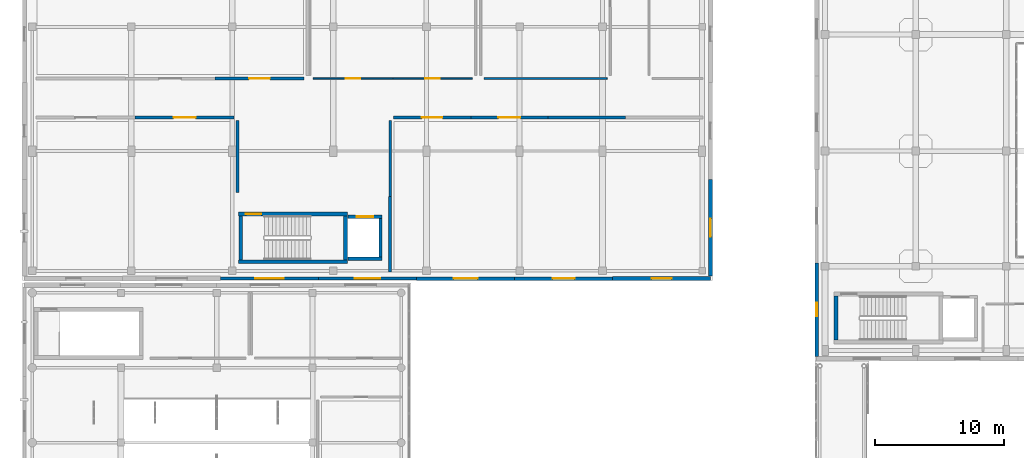
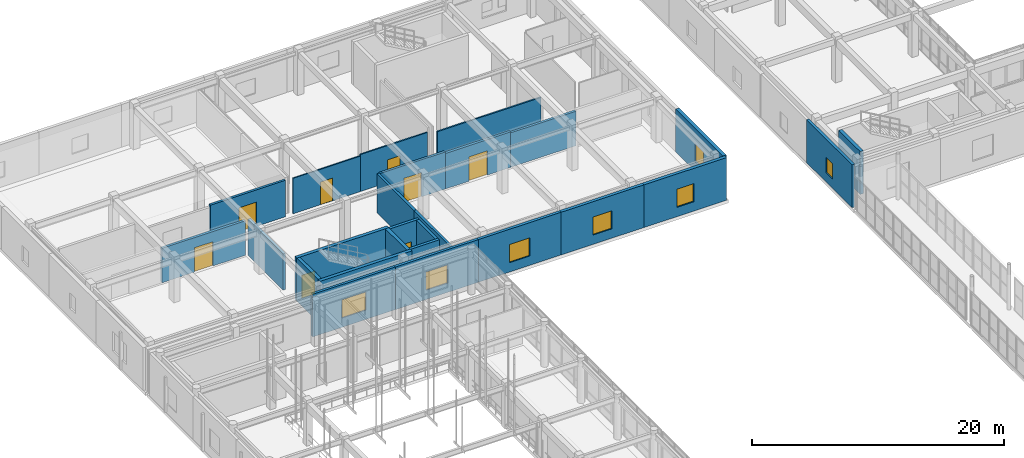
# One storey, part 123 of 142: 26 walls, 8 doors, 7 windows, 15 openings.
"""IFC4 building model written with IfcOpenShell, lengths in metres."""

import ifcopenshell
import ifcopenshell.guid

model = None  # the IFC model being written
_history = None  # IfcOwnerHistory: only IFC2X3 demands one
_inside = {}  # id of a spatial element -> (the spatial element, [elements in it])
_under = {}  # id of a project, library or spatial element -> (it, [spatial elements below it])
_declared = {}  # id of a project -> (the project, [libraries it declares])
_typed = {}  # id of a type object -> (the type object, [elements of that type])
_made_of = {}  # id of a material, layer set ... -> (it, [elements and type objects made of it])


def new_model(schema):
    """Start an empty IFC model of exactly this schema.

    Asked for "IFC4X3", IfcOpenShell would pick the latest addendum, in which some entities
    have other attributes; the version numbers below select the first issue.
    IFC2X3 requires an IfcOwnerHistory on every rooted entity: one is made here for all.
    """
    global model, _history
    if schema == "IFC4X3":
        model = ifcopenshell.file(schema_version=(4, 3, 0, 0))
    else:
        model = ifcopenshell.file(schema=schema)
    _inside.clear()
    _under.clear()
    _declared.clear()
    _typed.clear()
    _made_of.clear()
    _history = None
    if model.schema == "IFC2X3":
        org = make("IfcOrganization", Name="unknown")
        user = make(
            "IfcPersonAndOrganization",
            ThePerson=make("IfcPerson", FamilyName="unknown"),
            TheOrganization=org,
        )
        app = make(
            "IfcApplication",
            ApplicationDeveloper=org,
            Version="unknown",
            ApplicationFullName="unknown",
            ApplicationIdentifier="unknown",
        )
        _history = make(
            "IfcOwnerHistory",
            OwningUser=user,
            OwningApplication=app,
            ChangeAction="ADDED",
            CreationDate=0,
        )
    return model


def make(cls, **values):
    """One entity of the class cls with the attributes given. An attribute that is None is left unset."""
    return model.create_entity(
        cls, **{name: value for name, value in values.items() if value is not None}
    )


def rooted(cls, **values):
    """An entity with a GlobalId (a new one), such as an element, a storey or a relation."""
    return make(cls, GlobalId=ifcopenshell.guid.new(), OwnerHistory=_history, **values)


def si_unit(unit_type, name, prefix=None):
    """IfcSIUnit, for example si_unit("LENGTHUNIT", "METRE", prefix="MILLI")."""
    return make("IfcSIUnit", UnitType=unit_type, Prefix=prefix, Name=name)


def assignment(units):
    """IfcUnitAssignment: the units of a project."""
    return None if units is None else make("IfcUnitAssignment", Units=units)


def point(xyz):
    """IfcCartesianPoint."""
    return None if xyz is None else make("IfcCartesianPoint", Coordinates=xyz)


def direction(xyz):
    """IfcDirection."""
    return None if xyz is None else make("IfcDirection", DirectionRatios=xyz)


def frame(location, z_axis=None, x_axis=None):
    """IfcAxis2Placement3D, a coordinate frame: its origin and axes. An axis left out is left unset."""
    return make(
        "IfcAxis2Placement3D",
        Location=point(location),
        Axis=direction(z_axis),
        RefDirection=direction(x_axis),
    )


def frame_2d(location, x_axis=None):
    """IfcAxis2Placement2D, a coordinate frame in the plane: its origin and x axis."""
    return make(
        "IfcAxis2Placement2D", Location=point(location), RefDirection=direction(x_axis)
    )


def origin():
    """The frame at (0, 0, 0) with its axes left unset."""
    return frame((0.0, 0.0, 0.0))


def place(relative_to, where):
    """IfcLocalPlacement: puts the frame where relative to a parent placement (None: the world)."""
    return make(
        "IfcLocalPlacement", PlacementRelTo=relative_to, RelativePlacement=where
    )


def context(
    kind, dimensions, precision=None, world=None, true_north=None, identifier=None
):
    """IfcGeometricRepresentationContext, for example the 3D "Model" context."""
    return make(
        "IfcGeometricRepresentationContext",
        ContextIdentifier=identifier,
        ContextType=kind,
        CoordinateSpaceDimension=dimensions,
        Precision=precision,
        WorldCoordinateSystem=world,
        TrueNorth=true_north,
    )


def subcontext(parent, identifier, kind, view, scale=None):
    """IfcGeometricRepresentationSubContext, for example "Body" below "Model"."""
    return make(
        "IfcGeometricRepresentationSubContext",
        ContextIdentifier=identifier,
        ContextType=kind,
        ParentContext=parent,
        TargetScale=scale,
        TargetView=view,
    )


def project(units=None, contexts=None):
    """IfcProject with its units and contexts."""
    return rooted(
        "IfcProject",
        Name="project",
        RepresentationContexts=contexts,
        UnitsInContext=assignment(units),
    )


def spatial(cls, under=None, at=None, **own):
    """A site, building, storey or space (cls), placed at a placement, below another one or the project."""
    s = rooted(cls, ObjectPlacement=at, **own)
    if under is not None:
        _under.setdefault(under.id(), (under, []))[1].append(s)
    return s


def profile(cls, at=None, kind="AREA", **sizes):
    """A parametric profile (cls). Its sizes go by their IFC names, for example OverallWidth=200.0."""
    return make(cls, ProfileType=kind, Position=at, **sizes)


def rectangle(**sizes):
    """IfcRectangleProfileDef."""
    return profile("IfcRectangleProfileDef", **sizes)


def extrude(swept, where, along, depth):
    """IfcExtrudedAreaSolid: the profile swept, set in the frame where, extruded along a direction by depth."""
    return make(
        "IfcExtrudedAreaSolid",
        SweptArea=swept,
        Position=where,
        ExtrudedDirection=direction(along),
        Depth=depth,
    )


def shape(context_of_items, identifier, shape_type, items):
    """IfcShapeRepresentation: the items that make up one representation, for example the "Body"."""
    return make(
        "IfcShapeRepresentation",
        ContextOfItems=context_of_items,
        RepresentationIdentifier=identifier,
        RepresentationType=shape_type,
        Items=items,
    )


def material(Name=None, Category=None):
    """IfcMaterial."""
    return make("IfcMaterial", Name=Name, Category=Category)


def layer(
    of_material, thickness, ventilated=None, Name=None, Category=None, Priority=None
):
    """IfcMaterialLayer: one layer of a wall or slab, of a material (None: an air gap)."""
    return make(
        "IfcMaterialLayer",
        Material=of_material,
        LayerThickness=thickness,
        IsVentilated=ventilated,
        Name=Name,
        Category=Category,
        Priority=Priority,
    )


def layer_set(layers, Name=None):
    """IfcMaterialLayerSet."""
    return make("IfcMaterialLayerSet", MaterialLayers=layers, LayerSetName=Name)


def made_of(thing, what):
    """Note that an element or type object is made of a material, layer set ...; save() writes the relation."""
    if what is not None:
        _made_of.setdefault(what.id(), (what, []))[1].append(thing)
    return thing


def type_object(cls, material=None, **own):
    """A type object (cls), such as IfcWallType, which elements share."""
    return made_of(rooted(cls, **own), material)


def element(
    cls,
    number,
    at=None,
    inside=None,
    cuts=None,
    type_object=None,
    material=None,
    context=None,
    identifier="Body",
    shape_type=None,
    held_by="IfcProductDefinitionShape",
    body=None,
    shapes=None,
    **own,
):
    """One element of the class cls, such as IfcWall. Its Tag is "e" and its number.

    at: its placement. inside: the storey or other place that contains it. cuts: it is an
    opening in that element (IfcRelVoidsElement). A single representation is given by context,
    identifier, shape_type and body (its items); several are given by shapes. held_by: the class
    of the entity that holds the representations. save() writes the other relations.
    """
    e = rooted(cls, Tag="e%d" % number, ObjectPlacement=at, **own)
    if body is not None:
        shapes = [shape(context, identifier, shape_type, body)]
    if shapes is not None:
        e.Representation = make(held_by, Representations=shapes)
    if inside is not None:
        _inside.setdefault(inside.id(), (inside, []))[1].append(e)
    if cuts is not None:
        rooted(
            "IfcRelVoidsElement", RelatingBuildingElement=cuts, RelatedOpeningElement=e
        )
    if type_object is not None:
        _typed.setdefault(type_object.id(), (type_object, []))[1].append(e)
    return made_of(e, material)


def fill(opening, filler):
    """IfcRelFillsElement: the door or window that sits in an opening."""
    return rooted(
        "IfcRelFillsElement",
        RelatingOpeningElement=opening,
        RelatedBuildingElement=filler,
    )


def aggregate(whole, parts):
    """IfcRelAggregates: a whole, such as a stair, and the parts it consists of."""
    return rooted("IfcRelAggregates", RelatingObject=whole, RelatedObjects=parts)


def save(model, path):
    """Write the relations noted so far, then the file.

    IfcRelAggregates (storeys below a building ...), IfcRelContainedInSpatialStructure (elements
    in a storey), IfcRelDefinesByType, IfcRelAssociatesMaterial and IfcRelDeclares: one each for
    every whole, place, type object, material and project.
    """
    for whole, parts in _under.values():
        aggregate(whole, parts)
    for where, things in _inside.values():
        rooted(
            "IfcRelContainedInSpatialStructure",
            RelatedElements=things,
            RelatingStructure=where,
        )
    for kind, things in _typed.values():
        rooted("IfcRelDefinesByType", RelatedObjects=things, RelatingType=kind)
    for what, things in _made_of.values():
        rooted("IfcRelAssociatesMaterial", RelatedObjects=things, RelatingMaterial=what)
    for by, libraries in _declared.values():
        rooted("IfcRelDeclares", RelatingContext=by, RelatedDefinitions=libraries)
    model.write(path)


model = new_model("IFC4")

# Units and contexts
model_context = context("Model", 3, precision=1e-05, world=origin(), true_north=direction((0.0, 1.0)))
body_context = subcontext(model_context, "Body", "Model", "MODEL_VIEW")
ifc_project = project(units=[si_unit("LENGTHUNIT", "METRE"), si_unit("AREAUNIT", "SQUARE_METRE"), si_unit("VOLUMEUNIT", "CUBIC_METRE"), si_unit("PLANEANGLEUNIT", "RADIAN"), si_unit("MASSUNIT", "GRAM", prefix="KILO")], contexts=[model_context])

# Site, building, storey
site_placement = place(None, origin())
site = spatial("IfcSite", under=ifc_project, at=site_placement, CompositionType="ELEMENT")
building_placement = place(site_placement, origin())
building = spatial("IfcBuilding", under=site, at=building_placement, Name="Valcora Specialist Clinic", CompositionType="ELEMENT")
storey_placement = place(building_placement, frame((0.0, 0.0, 5.10009765625)))
storey = spatial("IfcBuildingStorey", under=building, at=storey_placement, Name="L01", CompositionType="ELEMENT", Elevation=5.10009765625)

# Wall
ifc_material_1 = material(Name="Concrete C40/50", Category="concrete")
ifc_layer_1 = layer(ifc_material_1, 0.300048828125)
ifc_layer_set_1 = layer_set([ifc_layer_1], Name="Concrete C40/50")
wall_type_1 = type_object("IfcWallType", Name="TY-WL-CR300", PredefinedType="SHEAR", material=ifc_layer_set_1)
wall_1_placement = place(storey_placement, frame((16.699951171875, 81.64990234375, 0.0), z_axis=(0.0, 0.0, 1.0), x_axis=(1.0, 0.0, 0.0)))
element("IfcWall", 1, at=wall_1_placement, inside=storey, type_object=wall_type_1, Name="Core shear wall WL-CR-C-V2A-L01-S", PredefinedType="SHEAR", context=body_context, shape_type="SweptSolid", body=[
    extrude(rectangle(XDim=8.420166015625, YDim=0.300048828125, at=frame_2d((4.2099609375, 0.0))), origin(), (0.0, 0.0, 1.0), 4.1298828125),
])

# Wall, opening, door
wall_2_placement = place(storey_placement, frame((16.699951171875, 85.35009765625, 0.0), z_axis=(0.0, 0.0, 1.0), x_axis=(1.0, 0.0, 0.0)))
wall_2 = element("IfcWall", 2, at=wall_2_placement, inside=storey, type_object=wall_type_1, Name="Core shear wall WL-CR-C-V2A-L01-N", PredefinedType="SHEAR", context=body_context, shape_type="SweptSolid", body=[
    extrude(rectangle(XDim=8.420166015625, YDim=0.300048828125, at=frame_2d((4.2099609375, 0.0))), origin(), (0.0, 0.0, 1.0), 4.1298828125),
])
opening_1_placement = place(wall_2_placement, frame((0.550048828125, 0.0, 0.0)))
opening_1 = element("IfcOpeningElement", 3, at=opening_1_placement, cuts=wall_2, Name="Opening DR-FD-120", PredefinedType="OPENING", context=body_context, shape_type="SweptSolid", body=[
    extrude(rectangle(XDim=1.199951171875, YDim=2.199951171875, at=frame_2d((0.60009765625, 1.10009765625))), frame((0.0, 0.159912109375, 0.0), z_axis=(0.0, -1.0, 0.0), x_axis=(1.0, 0.0, 0.0)), (0.0, 0.0, 1.0), 0.320068359375),
])
ifc_material_2 = material(Name="Galvanized Hollow Metal Door Steel ASTM A653", Category="steel")
door_type_1 = type_object("IfcDoorType", Name="TY-DR-ST120", OperationType="NOTDEFINED", PredefinedType="DOOR", material=ifc_material_2)
door_1_placement = place(opening_1_placement, origin())
door_1 = element("IfcDoor", 4, at=door_1_placement, inside=storey, type_object=door_type_1, Name="Exit stair fire door C-V2A L01", OperationType="SINGLE_SWING_RIGHT", OverallHeight=2.199951171875, OverallWidth=1.199951171875, PredefinedType="DOOR", context=body_context, shape_type="SweptSolid", body=[
    extrude(rectangle(XDim=1.199951171875, YDim=2.199951171875, at=frame_2d((0.60009765625, 1.10009765625))), frame((0.0, 0.02490234375, 0.0), z_axis=(0.0, -1.0, 0.0), x_axis=(1.0, 0.0, 0.0)), (0.0, 0.0, 1.0), 0.050048828125),
])
fill(opening_1, door_1)

# Walls
wall_3_placement = place(storey_placement, frame((16.85009765625, 81.802001953125, 0.0), z_axis=(0.0, 0.0, 1.0), x_axis=(0.0, 1.0, 0.0)))
element("IfcWall", 5, at=wall_3_placement, inside=storey, type_object=wall_type_1, Name="Core shear wall WL-CR-C-V2A-L01-W", PredefinedType="SHEAR", context=body_context, shape_type="SweptSolid", body=[
    extrude(rectangle(XDim=3.39599609375, YDim=0.300048828125, at=frame_2d((1.697998046875, 0.0))), origin(), (0.0, 0.0, 1.0), 4.1298828125),
])
wall_4_placement = place(storey_placement, frame((62.85009765625, 75.60205078125, 0.0), z_axis=(0.0, 0.0, 1.0), x_axis=(0.0, 1.0, 0.0)))
element("IfcWall", 6, at=wall_4_placement, inside=storey, type_object=wall_type_1, Name="Core shear wall WL-CR-C-V4A-L01-W", PredefinedType="SHEAR", context=body_context, shape_type="SweptSolid", body=[
    extrude(rectangle(XDim=3.39599609375, YDim=0.300048828125, at=frame_2d((1.697998046875, 0.0))), origin(), (0.0, 0.0, 1.0), 4.14501953125),
])
ifc_layer_2 = layer(ifc_material_1, 0.320068359375)
ifc_layer_set_2 = layer_set([ifc_layer_2], Name="Concrete C40/50")
wall_type_2 = type_object("IfcWallType", Name="TY-WL-CR320", PredefinedType="SHEAR", material=ifc_layer_set_2)
wall_5_placement = place(storey_placement, frame((24.9599609375, 81.802001953125, 0.0), z_axis=(0.0, 0.0, 1.0), x_axis=(0.0, 1.0, 0.0)))
element("IfcWall", 7, at=wall_5_placement, inside=storey, type_object=wall_type_2, Name="Core shear wall WL-CR-C-V2A-L01-E", PredefinedType="SHEAR", context=body_context, shape_type="SweptSolid", body=[
    extrude(rectangle(XDim=3.39599609375, YDim=0.320068359375, at=frame_2d((1.697998046875, 0.0))), origin(), (0.0, 0.0, 1.0), 4.1298828125),
])

# Wall, opening, window
ifc_material_3 = material(Name="Extruded Jalisco Clay Brick Masonry", Category="masonry")
ifc_layer_3 = layer(ifc_material_3, 0.235107421875)
ifc_layer_set_3 = layer_set([ifc_layer_3], Name="Extruded Jalisco Clay Brick Masonry")
wall_type_3 = type_object("IfcWallType", Name="TY-WL-EW235", PredefinedType="SOLIDWALL", material=ifc_layer_set_3)
wall_6_placement = place(storey_placement, frame((22.8642578125, 80.35009765625, 0.0), z_axis=(0.0, 0.0, 1.0), x_axis=(-1.0, 0.0, 0.0)))
wall_6 = element("IfcWall", 8, at=wall_6_placement, inside=storey, type_object=wall_type_3, Name="Exterior wall WL-EXT-L01-0080", PredefinedType="SOLIDWALL", context=body_context, shape_type="SweptSolid", body=[
    extrude(rectangle(XDim=7.5712890625, YDim=0.235107421875, at=frame_2d((3.78564453125, 0.0))), origin(), (0.0, 0.0, 1.0), 4.1298828125),
])
opening_2_placement = place(wall_6_placement, frame((2.68603515625, 0.0, 0.89990234375)))
opening_2 = element("IfcOpeningElement", 9, at=opening_2_placement, cuts=wall_6, Name="Opening WN-19", PredefinedType="OPENING", context=body_context, shape_type="SweptSolid", body=[
    extrude(rectangle(XDim=2.199951171875, YDim=1.75, at=frame_2d((1.10009765625, 0.875))), frame((0.0, 0.12744140625, 0.0), z_axis=(0.0, -1.0, 0.0), x_axis=(1.0, 0.0, 0.0)), (0.0, 0.0, 1.0), 0.255126953125),
])
ifc_material_4 = material(Name="Low-E Laminated Insulating Glass", Category="glass")
window_type_1 = type_object("IfcWindowType", Name="TY-WN-19", PartitioningType="SINGLE_PANEL", PredefinedType="WINDOW", material=ifc_material_4)
window_1_placement = place(opening_2_placement, origin())
window_1 = element("IfcWindow", 10, at=window_1_placement, inside=storey, type_object=window_type_1, Name="Facade window WN-L01-0061", OverallHeight=1.75, OverallWidth=2.199951171875, PartitioningType="SINGLE_PANEL", PredefinedType="WINDOW", context=body_context, shape_type="SweptSolid", body=[
    extrude(rectangle(XDim=2.199951171875, YDim=1.75, at=frame_2d((1.10009765625, 0.875))), frame((0.0, 0.030029296875, 0.0), z_axis=(0.0, -1.0, 0.0), x_axis=(1.0, 0.0, 0.0)), (0.0, 0.0, 1.0), 0.06005859375),
])
fill(opening_2, window_1)

ifc_layer_4 = layer(ifc_material_3, 0.25)
ifc_layer_set_4 = layer_set([ifc_layer_4], Name="Extruded Jalisco Clay Brick Masonry")
wall_type_4 = type_object("IfcWallType", Name="TY-WL-EW250", PredefinedType="SOLIDWALL", material=ifc_layer_set_4)
wall_7_placement = place(storey_placement, frame((30.435791015625, 80.35009765625, 0.0), z_axis=(0.0, 0.0, 1.0), x_axis=(-1.0, 0.0, 0.0)))
wall_7 = element("IfcWall", 11, at=wall_7_placement, inside=storey, type_object=wall_type_4, Name="Exterior wall WL-EXT-L01-0079", PredefinedType="SOLIDWALL", context=body_context, shape_type="SweptSolid", body=[
    extrude(rectangle(XDim=7.571533203125, YDim=0.25, at=frame_2d((3.78564453125, 0.0))), origin(), (0.0, 0.0, 1.0), 4.1298828125),
])
opening_3_placement = place(wall_7_placement, frame((2.785888671875, 0.0, 0.89990234375)))
opening_3 = element("IfcOpeningElement", 12, at=opening_3_placement, cuts=wall_7, Name="Opening WN-18", PredefinedType="OPENING", context=body_context, shape_type="SweptSolid", body=[
    extrude(rectangle(XDim=2.0, YDim=1.75, at=frame_2d((1.0, 0.875))), frame((0.0, 0.135009765625, 0.0), z_axis=(0.0, -1.0, 0.0), x_axis=(1.0, 0.0, 0.0)), (0.0, 0.0, 1.0), 0.27001953125),
])
window_type_2 = type_object("IfcWindowType", Name="TY-WN-18", PartitioningType="SINGLE_PANEL", PredefinedType="WINDOW", material=ifc_material_4)
window_2_placement = place(opening_3_placement, origin())
window_2 = element("IfcWindow", 13, at=window_2_placement, inside=storey, type_object=window_type_2, Name="Facade window WN-L01-0060", OverallHeight=1.75, OverallWidth=2.0, PartitioningType="SINGLE_PANEL", PredefinedType="WINDOW", context=body_context, shape_type="SweptSolid", body=[
    extrude(rectangle(XDim=2.0, YDim=1.75, at=frame_2d((1.0, 0.875))), frame((0.0, 0.030029296875, 0.0), z_axis=(0.0, -1.0, 0.0), x_axis=(1.0, 0.0, 0.0)), (0.0, 0.0, 1.0), 0.06005859375),
])
fill(opening_3, window_2)

wall_8_placement = place(storey_placement, frame((61.35009765625, 74.340087890625, 0.0), z_axis=(0.0, 0.0, 1.0), x_axis=(0.0, 1.0, 0.0)))
wall_8 = element("IfcWall", 14, at=wall_8_placement, inside=storey, type_object=wall_type_4, Name="Exterior wall WL-EXT-L01-0149", PredefinedType="SOLIDWALL", context=body_context, shape_type="SweptSolid", body=[
    extrude(rectangle(XDim=7.223876953125, YDim=0.25, at=frame_2d((3.61181640625, 0.0))), origin(), (0.0, 0.0, 1.0), 4.14501953125),
])
opening_4_placement = place(wall_8_placement, frame((3.0869140625, 0.0, 0.89990234375)))
opening_4 = element("IfcOpeningElement", 15, at=opening_4_placement, cuts=wall_8, Name="Opening WN-02", PredefinedType="OPENING", context=body_context, shape_type="SweptSolid", body=[
    extrude(rectangle(XDim=1.050048828125, YDim=1.5, at=frame_2d((0.52490234375, 0.75))), frame((0.0, 0.135009765625, 0.0), z_axis=(0.0, -1.0, 0.0), x_axis=(1.0, 0.0, 0.0)), (0.0, 0.0, 1.0), 0.27001953125),
])
window_type_3 = type_object("IfcWindowType", Name="TY-WN-02", PartitioningType="SINGLE_PANEL", PredefinedType="WINDOW", material=ifc_material_4)
window_3_placement = place(opening_4_placement, origin())
window_3 = element("IfcWindow", 16, at=window_3_placement, inside=storey, type_object=window_type_3, Name="Facade window WN-L01-0128", OverallHeight=1.5, OverallWidth=1.050048828125, PartitioningType="SINGLE_PANEL", PredefinedType="WINDOW", context=body_context, shape_type="SweptSolid", body=[
    extrude(rectangle(XDim=1.050048828125, YDim=1.5, at=frame_2d((0.52490234375, 0.75))), frame((0.0, 0.030029296875, 0.0), z_axis=(0.0, -1.0, 0.0), x_axis=(1.0, 0.0, 0.0)), (0.0, 0.0, 1.0), 0.06005859375),
])
fill(opening_4, window_3)

ifc_layer_5 = layer(ifc_material_3, 0.264892578125)
ifc_layer_set_5 = layer_set([ifc_layer_5], Name="Extruded Jalisco Clay Brick Masonry")
wall_type_5 = type_object("IfcWallType", Name="TY-WL-EW265", PredefinedType="SOLIDWALL", material=ifc_layer_set_5)
wall_9_placement = place(storey_placement, frame((38.007080078125, 80.35009765625, 0.0), z_axis=(0.0, 0.0, 1.0), x_axis=(-1.0, 0.0, 0.0)))
wall_9 = element("IfcWall", 17, at=wall_9_placement, inside=storey, type_object=wall_type_5, Name="Exterior wall WL-EXT-L01-0078", PredefinedType="SOLIDWALL", context=body_context, shape_type="SweptSolid", body=[
    extrude(rectangle(XDim=7.5712890625, YDim=0.264892578125, at=frame_2d((3.78564453125, 0.0))), origin(), (0.0, 0.0, 1.0), 4.1298828125),
])
opening_5_placement = place(wall_9_placement, frame((2.861083984375, 0.0, 0.89990234375)))
opening_5 = element("IfcOpeningElement", 18, at=opening_5_placement, cuts=wall_9, Name="Opening WN-17", PredefinedType="OPENING", context=body_context, shape_type="SweptSolid", body=[
    extrude(rectangle(XDim=1.85009765625, YDim=1.75, at=frame_2d((0.925048828125, 0.875))), frame((0.0, 0.142333984375, 0.0), z_axis=(0.0, -1.0, 0.0), x_axis=(1.0, 0.0, 0.0)), (0.0, 0.0, 1.0), 0.284912109375),
])
window_type_4 = type_object("IfcWindowType", Name="TY-WN-17", PartitioningType="SINGLE_PANEL", PredefinedType="WINDOW", material=ifc_material_4)
window_4_placement = place(opening_5_placement, origin())
window_4 = element("IfcWindow", 19, at=window_4_placement, inside=storey, type_object=window_type_4, Name="Facade window WN-L01-0059", OverallHeight=1.75, OverallWidth=1.85009765625, PartitioningType="SINGLE_PANEL", PredefinedType="WINDOW", context=body_context, shape_type="SweptSolid", body=[
    extrude(rectangle(XDim=1.85009765625, YDim=1.75, at=frame_2d((0.925048828125, 0.875))), frame((0.0, 0.030029296875, 0.0), z_axis=(0.0, -1.0, 0.0), x_axis=(1.0, 0.0, 0.0)), (0.0, 0.0, 1.0), 0.06005859375),
])
fill(opening_5, window_4)

ifc_layer_6 = layer(ifc_material_3, 0.280029296875)
ifc_layer_set_6 = layer_set([ifc_layer_6], Name="Extruded Jalisco Clay Brick Masonry")
wall_type_6 = type_object("IfcWallType", Name="TY-WL-EW280", PredefinedType="SOLIDWALL", material=ifc_layer_set_6)
wall_10_placement = place(storey_placement, frame((45.57861328125, 80.35009765625, 0.0), z_axis=(0.0, 0.0, 1.0), x_axis=(-1.0, 0.0, 0.0)))
wall_10 = element("IfcWall", 20, at=wall_10_placement, inside=storey, type_object=wall_type_6, Name="Exterior wall WL-EXT-L01-0077", PredefinedType="SOLIDWALL", context=body_context, shape_type="SweptSolid", body=[
    extrude(rectangle(XDim=7.571533203125, YDim=0.280029296875, at=frame_2d((3.78564453125, 0.0))), origin(), (0.0, 0.0, 1.0), 4.1298828125),
])
opening_6_placement = place(wall_10_placement, frame((2.93603515625, 0.0, 0.89990234375)))
opening_6 = element("IfcOpeningElement", 21, at=opening_6_placement, cuts=wall_10, Name="Opening WN-16", PredefinedType="OPENING", context=body_context, shape_type="SweptSolid", body=[
    extrude(rectangle(XDim=1.699951171875, YDim=1.75, at=frame_2d((0.85009765625, 0.875))), frame((0.0, 0.14990234375, 0.0), z_axis=(0.0, -1.0, 0.0), x_axis=(1.0, 0.0, 0.0)), (0.0, 0.0, 1.0), 0.300048828125),
])
window_type_5 = type_object("IfcWindowType", Name="TY-WN-16", PartitioningType="SINGLE_PANEL", PredefinedType="WINDOW", material=ifc_material_4)
window_5_placement = place(opening_6_placement, origin())
window_5 = element("IfcWindow", 22, at=window_5_placement, inside=storey, type_object=window_type_5, Name="Facade window WN-L01-0058", OverallHeight=1.75, OverallWidth=1.699951171875, PartitioningType="SINGLE_PANEL", PredefinedType="WINDOW", context=body_context, shape_type="SweptSolid", body=[
    extrude(rectangle(XDim=1.699951171875, YDim=1.75, at=frame_2d((0.85009765625, 0.875))), frame((0.0, 0.030029296875, 0.0), z_axis=(0.0, -1.0, 0.0), x_axis=(1.0, 0.0, 0.0)), (0.0, 0.0, 1.0), 0.06005859375),
])
fill(opening_6, window_5)

ifc_layer_7 = layer(ifc_material_3, 0.294921875)
ifc_layer_set_7 = layer_set([ifc_layer_7], Name="Extruded Jalisco Clay Brick Masonry")
wall_type_7 = type_object("IfcWallType", Name="TY-WL-EW295", PredefinedType="SOLIDWALL", material=ifc_layer_set_7)
wall_11_placement = place(storey_placement, frame((53.14990234375, 80.35009765625, 0.0), z_axis=(0.0, 0.0, 1.0), x_axis=(-1.0, 0.0, 0.0)))
wall_11 = element("IfcWall", 23, at=wall_11_placement, inside=storey, type_object=wall_type_7, Name="Exterior wall WL-EXT-L01-0076", PredefinedType="SOLIDWALL", context=body_context, shape_type="SweptSolid", body=[
    extrude(rectangle(XDim=7.5712890625, YDim=0.294921875, at=frame_2d((3.78564453125, 0.0))), origin(), (0.0, 0.0, 1.0), 4.1298828125),
])
opening_7_placement = place(wall_11_placement, frame((3.010986328125, 0.0, 0.89990234375)))
opening_7 = element("IfcOpeningElement", 24, at=opening_7_placement, cuts=wall_11, Name="Opening WN-15", PredefinedType="OPENING", context=body_context, shape_type="SweptSolid", body=[
    extrude(rectangle(XDim=1.550048828125, YDim=1.75, at=frame_2d((0.77490234375, 0.875))), frame((0.0, 0.157470703125, 0.0), z_axis=(0.0, -1.0, 0.0), x_axis=(1.0, 0.0, 0.0)), (0.0, 0.0, 1.0), 0.31494140625),
])
window_type_6 = type_object("IfcWindowType", Name="TY-WN-15", PartitioningType="SINGLE_PANEL", PredefinedType="WINDOW", material=ifc_material_4)
window_6_placement = place(opening_7_placement, origin())
window_6 = element("IfcWindow", 25, at=window_6_placement, inside=storey, type_object=window_type_6, Name="Facade window WN-L01-0057", OverallHeight=1.75, OverallWidth=1.550048828125, PartitioningType="SINGLE_PANEL", PredefinedType="WINDOW", context=body_context, shape_type="SweptSolid", body=[
    extrude(rectangle(XDim=1.550048828125, YDim=1.75, at=frame_2d((0.77490234375, 0.875))), frame((0.0, 0.030029296875, 0.0), z_axis=(0.0, -1.0, 0.0), x_axis=(1.0, 0.0, 0.0)), (0.0, 0.0, 1.0), 0.06005859375),
])
fill(opening_7, window_6)

ifc_layer_8 = layer(ifc_material_3, 0.31005859375)
ifc_layer_set_8 = layer_set([ifc_layer_8], Name="Extruded Jalisco Clay Brick Masonry")
wall_type_8 = type_object("IfcWallType", Name="TY-WL-EW310", PredefinedType="SOLIDWALL", material=ifc_layer_set_8)
wall_12_placement = place(storey_placement, frame((53.14990234375, 88.02001953125, 0.0), z_axis=(0.0, 0.0, 1.0), x_axis=(0.0, -1.0, 0.0)))
wall_12 = element("IfcWall", 26, at=wall_12_placement, inside=storey, type_object=wall_type_8, Name="Exterior wall WL-EXT-L01-0075", PredefinedType="SOLIDWALL", context=body_context, shape_type="SweptSolid", body=[
    extrude(rectangle(XDim=7.47998046875, YDim=0.31005859375, at=frame_2d((3.739990234375, 0.0))), origin(), (0.0, 0.0, 1.0), 4.1298828125),
])
opening_8_placement = place(wall_12_placement, frame((3.0400390625, 0.0, 0.89990234375)))
opening_8 = element("IfcOpeningElement", 27, at=opening_8_placement, cuts=wall_12, Name="Opening WN-14", PredefinedType="OPENING", context=body_context, shape_type="SweptSolid", body=[
    extrude(rectangle(XDim=1.39990234375, YDim=1.75, at=frame_2d((0.699951171875, 0.875))), frame((0.0, 0.1650390625, 0.0), z_axis=(0.0, -1.0, 0.0), x_axis=(1.0, 0.0, 0.0)), (0.0, 0.0, 1.0), 0.330078125),
])
window_type_7 = type_object("IfcWindowType", Name="TY-WN-14", PartitioningType="SINGLE_PANEL", PredefinedType="WINDOW", material=ifc_material_4)
window_7_placement = place(opening_8_placement, origin())
window_7 = element("IfcWindow", 28, at=window_7_placement, inside=storey, type_object=window_type_7, Name="Facade window WN-L01-0056", OverallHeight=1.75, OverallWidth=1.39990234375, PartitioningType="SINGLE_PANEL", PredefinedType="WINDOW", context=body_context, shape_type="SweptSolid", body=[
    extrude(rectangle(XDim=1.39990234375, YDim=1.75, at=frame_2d((0.699951171875, 0.875))), frame((0.0, 0.030029296875, 0.0), z_axis=(0.0, -1.0, 0.0), x_axis=(1.0, 0.0, 0.0)), (0.0, 0.0, 1.0), 0.06005859375),
])
fill(opening_8, window_7)

# Wall, opening, door
ifc_material_5 = material(Name="Gypsum Board Partition Assembly")
ifc_layer_9 = layer(ifc_material_5, 0.114990234375)
ifc_layer_set_9 = layer_set([ifc_layer_9], Name="Gypsum Board Partition Assembly")
wall_type_9 = type_object("IfcWallType", Name="TY-WL-PT115", PredefinedType="PARTITIONING", material=ifc_layer_set_9)
wall_13_placement = place(storey_placement, frame((28.60009765625, 95.800048828125, 0.0), z_axis=(0.0, 0.0, 1.0), x_axis=(-1.0, 0.0, 0.0)))
wall_13 = element("IfcWall", 29, at=wall_13_placement, inside=storey, type_object=wall_type_9, Name="Interior partition WL-INT-L01-0183", PredefinedType="PARTITIONING", context=body_context, shape_type="SweptSolid", body=[
    extrude(rectangle(XDim=6.150146484375, YDim=0.114990234375, at=frame_2d((3.0751953125, 0.0))), origin(), (0.0, 0.0, 1.0), 3.429931640625),
])
opening_9_placement = place(wall_13_placement, frame((2.52490234375, 0.0, 0.0)))
opening_9 = element("IfcOpeningElement", 30, at=opening_9_placement, cuts=wall_13, Name="Opening DR-CN-110", PredefinedType="OPENING", context=body_context, shape_type="SweptSolid", body=[
    extrude(rectangle(XDim=1.10009765625, YDim=2.199951171875, at=frame_2d((0.550048828125, 1.10009765625))), frame((0.0, 0.0673828125, 0.0), z_axis=(0.0, -1.0, 0.0), x_axis=(1.0, 0.0, 0.0)), (0.0, 0.0, 1.0), 0.135009765625),
])
ifc_material_6 = material(Name="Glulam Conifer Class 24F", Category="wood")
door_type_2 = type_object("IfcDoorType", Name="TY-DR-CN110", OperationType="NOTDEFINED", PredefinedType="DOOR", material=ifc_material_6)
door_2_placement = place(opening_9_placement, origin())
door_2 = element("IfcDoor", 31, at=door_2_placement, inside=storey, type_object=door_type_2, Name="Interior door DR-INT-L01-0053", OperationType="SINGLE_SWING_LEFT", OverallHeight=2.199951171875, OverallWidth=1.10009765625, PredefinedType="DOOR", context=body_context, shape_type="SweptSolid", body=[
    extrude(rectangle(XDim=1.10009765625, YDim=2.199951171875, at=frame_2d((0.550048828125, 1.10009765625))), frame((0.0, 0.02490234375, 0.0), z_axis=(0.0, -1.0, 0.0), x_axis=(1.0, 0.0, 0.0)), (0.0, 0.0, 1.0), 0.050048828125),
])
fill(opening_9, door_2)

ifc_layer_10 = layer(ifc_material_5, 0.125)
ifc_layer_set_10 = layer_set([ifc_layer_10], Name="Gypsum Board Partition Assembly")
wall_type_10 = type_object("IfcWallType", Name="TY-WL-PT125", PredefinedType="PARTITIONING", material=ifc_layer_set_10)
wall_14_placement = place(storey_placement, frame((34.75, 95.800048828125, 0.0), z_axis=(0.0, 0.0, 1.0), x_axis=(-1.0, 0.0, 0.0)))
wall_14 = element("IfcWall", 32, at=wall_14_placement, inside=storey, type_object=wall_type_10, Name="Interior partition WL-INT-L01-0182", PredefinedType="PARTITIONING", context=body_context, shape_type="SweptSolid", body=[
    extrude(rectangle(XDim=6.14990234375, YDim=0.125, at=frame_2d((3.074951171875, 0.0))), origin(), (0.0, 0.0, 1.0), 3.579833984375),
])
opening_10_placement = place(wall_14_placement, frame((2.5048828125, 0.0, 0.0)))
opening_10 = element("IfcOpeningElement", 33, at=opening_10_placement, cuts=wall_14, Name="Opening DR-CN-114", PredefinedType="OPENING", context=body_context, shape_type="SweptSolid", body=[
    extrude(rectangle(XDim=1.139892578125, YDim=2.199951171875, at=frame_2d((0.56982421875, 1.10009765625))), frame((0.0, 0.072509765625, 0.0), z_axis=(0.0, -1.0, 0.0), x_axis=(1.0, 0.0, 0.0)), (0.0, 0.0, 1.0), 0.14501953125),
])
door_type_3 = type_object("IfcDoorType", Name="TY-DR-CN114", OperationType="NOTDEFINED", PredefinedType="DOOR", material=ifc_material_6)
door_3_placement = place(opening_10_placement, origin())
door_3 = element("IfcDoor", 34, at=door_3_placement, inside=storey, type_object=door_type_3, Name="Interior door DR-INT-L01-0052", OperationType="SINGLE_SWING_RIGHT", OverallHeight=2.199951171875, OverallWidth=1.139892578125, PredefinedType="DOOR", context=body_context, shape_type="SweptSolid", body=[
    extrude(rectangle(XDim=1.139892578125, YDim=2.199951171875, at=frame_2d((0.56982421875, 1.10009765625))), frame((0.0, 0.02490234375, 0.0), z_axis=(0.0, -1.0, 0.0), x_axis=(1.0, 0.0, 0.0)), (0.0, 0.0, 1.0), 0.050048828125),
])
fill(opening_10, door_3)

# Wall
ifc_layer_11 = layer(ifc_material_5, 0.135009765625)
ifc_layer_set_11 = layer_set([ifc_layer_11], Name="Gypsum Board Partition Assembly")
wall_type_11 = type_object("IfcWallType", Name="TY-WL-PT135", PredefinedType="PARTITIONING", material=ifc_layer_set_11)
wall_15_placement = place(storey_placement, frame((45.14990234375, 95.800048828125, 0.0), z_axis=(0.0, 0.0, 1.0), x_axis=(-1.0, 0.0, 0.0)))
element("IfcWall", 35, at=wall_15_placement, inside=storey, type_object=wall_type_11, Name="Interior partition WL-INT-L01-0187", PredefinedType="PARTITIONING", context=body_context, shape_type="SweptSolid", body=[
    extrude(rectangle(XDim=9.5, YDim=0.135009765625, at=frame_2d((4.75, 0.0))), origin(), (0.0, 0.0, 1.0), 3.329833984375),
])

# Wall, opening, door
ifc_material_7 = material(Name="Lead-Lined Gypsum Partition Assembly")
ifc_layer_12 = layer(ifc_material_7, 0.205078125)
ifc_layer_set_12 = layer_set([ifc_layer_12], Name="Lead-Lined Gypsum Partition Assembly")
wall_type_12 = type_object("IfcWallType", Name="TY-WL-PT205", PredefinedType="PARTITIONING", material=ifc_layer_set_12)
wall_16_placement = place(storey_placement, frame((28.64990234375, 92.800048828125, 0.0), z_axis=(0.0, 0.0, 1.0), x_axis=(1.0, 0.0, 0.0)))
wall_16 = element("IfcWall", 36, at=wall_16_placement, inside=storey, type_object=wall_type_12, Name="Interior partition WL-INT-L01-0170", PredefinedType="PARTITIONING", context=body_context, shape_type="SweptSolid", body=[
    extrude(rectangle(XDim=5.97509765625, YDim=0.205078125, at=frame_2d((2.987548828125, 0.0))), origin(), (0.0, 0.0, 1.0), 3.579833984375),
])
opening_11_placement = place(wall_16_placement, frame((2.18798828125, 0.0, 0.0)))
opening_11 = element("IfcOpeningElement", 37, at=opening_11_placement, cuts=wall_16, Name="Opening DR-IM-160", PredefinedType="OPENING", context=body_context, shape_type="SweptSolid", body=[
    extrude(rectangle(XDim=1.60009765625, YDim=2.35009765625, at=frame_2d((0.800048828125, 1.175048828125))), frame((0.0, 0.112548828125, 0.0), z_axis=(0.0, -1.0, 0.0), x_axis=(1.0, 0.0, 0.0)), (0.0, 0.0, 1.0), 0.22509765625),
])
door_type_4 = type_object("IfcDoorType", Name="TY-DR-IM160", OperationType="NOTDEFINED", PredefinedType="DOOR", material=ifc_material_7)
door_4_placement = place(opening_11_placement, origin())
door_4 = element("IfcDoor", 38, at=door_4_placement, inside=storey, type_object=door_type_4, Name="Interior door DR-INT-L01-0048", OperationType="SINGLE_SWING_RIGHT", OverallHeight=2.35009765625, OverallWidth=1.60009765625, PredefinedType="DOOR", context=body_context, shape_type="SweptSolid", body=[
    extrude(rectangle(XDim=1.60009765625, YDim=2.35009765625, at=frame_2d((0.800048828125, 1.175048828125))), frame((0.0, 0.02490234375, 0.0), z_axis=(0.0, -1.0, 0.0), x_axis=(1.0, 0.0, 0.0)), (0.0, 0.0, 1.0), 0.050048828125),
])
fill(opening_11, door_4)

# Walls
ifc_layer_13 = layer(ifc_material_7, 0.215087890625)
ifc_layer_set_13 = layer_set([ifc_layer_13], Name="Lead-Lined Gypsum Partition Assembly")
wall_type_13 = type_object("IfcWallType", Name="TY-WL-PT215", PredefinedType="PARTITIONING", material=ifc_layer_set_13)
wall_17_placement = place(storey_placement, frame((16.60009765625, 92.550048828125, 0.0), z_axis=(0.0, 0.0, 1.0), x_axis=(0.0, -1.0, 0.0)))
element("IfcWall", 39, at=wall_17_placement, inside=storey, type_object=wall_type_13, Name="Interior partition WL-INT-L01-0169", PredefinedType="PARTITIONING", context=body_context, shape_type="SweptSolid", body=[
    extrude(rectangle(XDim=5.550048828125, YDim=0.215087890625, at=frame_2d((2.77490234375, 0.0))), origin(), (0.0, 0.0, 1.0), 3.513916015625),
])
wall_18_placement = place(storey_placement, frame((40.60009765625, 92.800048828125, 0.0), z_axis=(0.0, 0.0, 1.0), x_axis=(1.0, 0.0, 0.0)))
element("IfcWall", 40, at=wall_18_placement, inside=storey, type_object=wall_type_13, Name="Interior partition WL-INT-L01-0172", PredefinedType="PARTITIONING", context=body_context, shape_type="SweptSolid", body=[
    extrude(rectangle(XDim=5.974853515625, YDim=0.215087890625, at=frame_2d((2.9873046875, 0.0))), origin(), (0.0, 0.0, 1.0), 3.329833984375),
])
wall_19_placement = place(storey_placement, frame((28.39990234375, 86.699951171875, 0.0), z_axis=(0.0, 0.0, 1.0), x_axis=(0.0, 1.0, 0.0)))
element("IfcWall", 41, at=wall_19_placement, inside=storey, type_object=wall_type_13, Name="Interior partition WL-INT-L01-0175", PredefinedType="PARTITIONING", context=body_context, shape_type="SweptSolid", body=[
    extrude(rectangle(XDim=5.85009765625, YDim=0.215087890625, at=frame_2d((2.925048828125, 0.0))), origin(), (0.0, 0.0, 1.0), 3.77001953125),
])

# Wall, opening, door
wall_20_placement = place(storey_placement, frame((21.75, 95.800048828125, 0.0), z_axis=(0.0, 0.0, 1.0), x_axis=(-1.0, 0.0, 0.0)))
wall_20 = element("IfcWall", 42, at=wall_20_placement, inside=storey, type_object=wall_type_13, Name="Interior partition WL-INT-L01-0178", PredefinedType="PARTITIONING", context=body_context, shape_type="SweptSolid", body=[
    extrude(rectangle(XDim=6.89990234375, YDim=0.215087890625, at=frame_2d((3.449951171875, 0.0))), origin(), (0.0, 0.0, 1.0), 3.52978515625),
])
opening_12_placement = place(wall_20_placement, frame((2.64990234375, 0.0, 0.0)))
opening_12 = element("IfcOpeningElement", 43, at=opening_12_placement, cuts=wall_20, Name="Opening DR-IM-160", PredefinedType="OPENING", context=body_context, shape_type="SweptSolid", body=[
    extrude(rectangle(XDim=1.60009765625, YDim=2.35009765625, at=frame_2d((0.800048828125, 1.175048828125))), frame((0.0, 0.117431640625, 0.0), z_axis=(0.0, -1.0, 0.0), x_axis=(1.0, 0.0, 0.0)), (0.0, 0.0, 1.0), 0.235107421875),
])
door_5_placement = place(opening_12_placement, origin())
door_5 = element("IfcDoor", 44, at=door_5_placement, inside=storey, type_object=door_type_4, Name="Interior door DR-INT-L01-0050", OperationType="SINGLE_SWING_RIGHT", OverallHeight=2.35009765625, OverallWidth=1.60009765625, PredefinedType="DOOR", context=body_context, shape_type="SweptSolid", body=[
    extrude(rectangle(XDim=1.60009765625, YDim=2.35009765625, at=frame_2d((0.800048828125, 1.175048828125))), frame((0.0, 0.02490234375, 0.0), z_axis=(0.0, -1.0, 0.0), x_axis=(1.0, 0.0, 0.0)), (0.0, 0.0, 1.0), 0.050048828125),
])
fill(opening_12, door_5)

ifc_layer_14 = layer(ifc_material_7, 0.22998046875)
ifc_layer_set_14 = layer_set([ifc_layer_14], Name="Lead-Lined Gypsum Partition Assembly")
wall_type_14 = type_object("IfcWallType", Name="TY-WL-PT230", PredefinedType="PARTITIONING", material=ifc_layer_set_14)
wall_21_placement = place(storey_placement, frame((8.699951171875, 92.800048828125, 0.0), z_axis=(0.0, 0.0, 1.0), x_axis=(1.0, 0.0, 0.0)))
wall_21 = element("IfcWall", 45, at=wall_21_placement, inside=storey, type_object=wall_type_14, Name="Interior partition WL-INT-L01-0168", PredefinedType="PARTITIONING", context=body_context, shape_type="SweptSolid", body=[
    extrude(rectangle(XDim=7.650146484375, YDim=0.22998046875, at=frame_2d((3.8251953125, 0.0))), origin(), (0.0, 0.0, 1.0), 3.329833984375),
])
opening_13_placement = place(wall_21_placement, frame((2.97509765625, 0.0, 0.0)))
opening_13 = element("IfcOpeningElement", 46, at=opening_13_placement, cuts=wall_21, Name="Opening DR-IM-170", PredefinedType="OPENING", context=body_context, shape_type="SweptSolid", body=[
    extrude(rectangle(XDim=1.699951171875, YDim=2.35009765625, at=frame_2d((0.85009765625, 1.175048828125))), frame((0.0, 0.125, 0.0), z_axis=(0.0, -1.0, 0.0), x_axis=(1.0, 0.0, 0.0)), (0.0, 0.0, 1.0), 0.25),
])
door_type_5 = type_object("IfcDoorType", Name="TY-DR-IM170", OperationType="NOTDEFINED", PredefinedType="DOOR", material=ifc_material_7)
door_6_placement = place(opening_13_placement, origin())
door_6 = element("IfcDoor", 47, at=door_6_placement, inside=storey, type_object=door_type_5, Name="Interior door DR-INT-L01-0047", OperationType="SINGLE_SWING_LEFT", OverallHeight=2.35009765625, OverallWidth=1.699951171875, PredefinedType="DOOR", context=body_context, shape_type="SweptSolid", body=[
    extrude(rectangle(XDim=1.699951171875, YDim=2.35009765625, at=frame_2d((0.85009765625, 1.175048828125))), frame((0.0, 0.02490234375, 0.0), z_axis=(0.0, -1.0, 0.0), x_axis=(1.0, 0.0, 0.0)), (0.0, 0.0, 1.0), 0.050048828125),
])
fill(opening_13, door_6)

wall_22_placement = place(storey_placement, frame((34.625, 92.800048828125, 0.0), z_axis=(0.0, 0.0, 1.0), x_axis=(1.0, 0.0, 0.0)))
wall_22 = element("IfcWall", 48, at=wall_22_placement, inside=storey, type_object=wall_type_14, Name="Interior partition WL-INT-L01-0171", PredefinedType="PARTITIONING", context=body_context, shape_type="SweptSolid", body=[
    extrude(rectangle(XDim=5.97509765625, YDim=0.22998046875, at=frame_2d((2.987548828125, 0.0))), origin(), (0.0, 0.0, 1.0), 3.429931640625),
])
opening_14_placement = place(wall_22_placement, frame((2.137939453125, 0.0, 0.0)))
opening_14 = element("IfcOpeningElement", 49, at=opening_14_placement, cuts=wall_22, Name="Opening DR-IM-170", PredefinedType="OPENING", context=body_context, shape_type="SweptSolid", body=[
    extrude(rectangle(XDim=1.699951171875, YDim=2.35009765625, at=frame_2d((0.85009765625, 1.175048828125))), frame((0.0, 0.125, 0.0), z_axis=(0.0, -1.0, 0.0), x_axis=(1.0, 0.0, 0.0)), (0.0, 0.0, 1.0), 0.25),
])
door_7_placement = place(opening_14_placement, origin())
door_7 = element("IfcDoor", 50, at=door_7_placement, inside=storey, type_object=door_type_5, Name="Interior door DR-INT-L01-0049", OperationType="SINGLE_SWING_LEFT", OverallHeight=2.35009765625, OverallWidth=1.699951171875, PredefinedType="DOOR", context=body_context, shape_type="SweptSolid", body=[
    extrude(rectangle(XDim=1.699951171875, YDim=2.35009765625, at=frame_2d((0.85009765625, 1.175048828125))), frame((0.0, 0.02490234375, 0.0), z_axis=(0.0, -1.0, 0.0), x_axis=(1.0, 0.0, 0.0)), (0.0, 0.0, 1.0), 0.050048828125),
])
fill(opening_14, door_7)

# Walls
wall_23_placement = place(storey_placement, frame((28.39990234375, 80.85009765625, 0.0), z_axis=(0.0, 0.0, 1.0), x_axis=(0.0, 1.0, 0.0)))
element("IfcWall", 51, at=wall_23_placement, inside=storey, type_object=wall_type_14, Name="Interior partition WL-INT-L01-0174", PredefinedType="PARTITIONING", context=body_context, shape_type="SweptSolid", body=[
    extrude(rectangle(XDim=5.849853515625, YDim=0.22998046875, at=frame_2d((2.9248046875, 0.0))), origin(), (0.0, 0.0, 1.0), 3.77001953125),
])
ifc_layer_15 = layer(ifc_material_1, 0.260009765625)
ifc_layer_set_15 = layer_set([ifc_layer_15], Name="Concrete C40/50")
wall_type_15 = type_object("IfcWallType", Name="TY-WL-SH260", PredefinedType="SHEAR", material=ifc_layer_set_15)
wall_24_placement = place(storey_placement, frame((25.1220703125, 81.8701171875, 0.0), z_axis=(0.0, 0.0, 1.0), x_axis=(1.0, 0.0, 0.0)))
element("IfcWall", 52, at=wall_24_placement, inside=storey, type_object=wall_type_15, Name="Lift shaft wall WL-LF-LF-02-L01-LS", PredefinedType="SHEAR", context=body_context, shape_type="SweptSolid", body=[
    extrude(rectangle(XDim=2.657958984375, YDim=0.260009765625, at=frame_2d((1.3291015625, 0.0))), origin(), (0.0, 0.0, 1.0), 4.1298828125),
])

# Wall, opening, door
wall_25_placement = place(storey_placement, frame((25.1220703125, 85.1298828125, 0.0), z_axis=(0.0, 0.0, 1.0), x_axis=(1.0, 0.0, 0.0)))
wall_25 = element("IfcWall", 53, at=wall_25_placement, inside=storey, type_object=wall_type_15, Name="Lift shaft wall WL-LF-LF-02-L01-LN", PredefinedType="SHEAR", context=body_context, shape_type="SweptSolid", body=[
    extrude(rectangle(XDim=2.657958984375, YDim=0.260009765625, at=frame_2d((1.3291015625, 0.0))), origin(), (0.0, 0.0, 1.0), 4.1298828125),
])
opening_15_placement = place(wall_25_placement, frame((0.678955078125, 0.0, 0.0)))
opening_15 = element("IfcOpeningElement", 54, at=opening_15_placement, cuts=wall_25, Name="Opening LD-130", PredefinedType="OPENING", context=body_context, shape_type="SweptSolid", body=[
    extrude(rectangle(XDim=1.300048828125, YDim=2.199951171875, at=frame_2d((0.64990234375, 1.10009765625))), frame((0.0, 0.139892578125, 0.0), z_axis=(0.0, -1.0, 0.0), x_axis=(1.0, 0.0, 0.0)), (0.0, 0.0, 1.0), 0.280029296875),
])
ifc_material_8 = material(Name="Stainless Steel AISI 316", Category="steel")
door_type_6 = type_object("IfcDoorType", Name="TY-LD-130", OperationType="NOTDEFINED", PredefinedType="DOOR", material=ifc_material_8)
door_8_placement = place(opening_15_placement, origin())
door_8 = element("IfcDoor", 55, at=door_8_placement, inside=storey, type_object=door_type_6, Name="Lift landing sliding door LF-02 L01", OperationType="SLIDING_TO_RIGHT", OverallHeight=2.199951171875, OverallWidth=1.300048828125, PredefinedType="DOOR", context=body_context, shape_type="SweptSolid", body=[
    extrude(rectangle(XDim=1.300048828125, YDim=2.199951171875, at=frame_2d((0.64990234375, 1.10009765625))), frame((0.0, 0.02490234375, 0.0), z_axis=(0.0, -1.0, 0.0), x_axis=(1.0, 0.0, 0.0)), (0.0, 0.0, 1.0), 0.050048828125),
])
fill(opening_15, door_8)

# Wall
wall_26_placement = place(storey_placement, frame((27.64990234375, 82.001953125, 0.0), z_axis=(0.0, 0.0, 1.0), x_axis=(0.0, 1.0, 0.0)))
element("IfcWall", 56, at=wall_26_placement, inside=storey, type_object=wall_type_15, Name="Lift shaft wall WL-LF-LF-02-L01-LE", PredefinedType="SHEAR", context=body_context, shape_type="SweptSolid", body=[
    extrude(rectangle(XDim=2.99609375, YDim=0.260009765625, at=frame_2d((1.498046875, 0.0))), origin(), (0.0, 0.0, 1.0), 4.1298828125),
])

save(model, "model.ifc")
